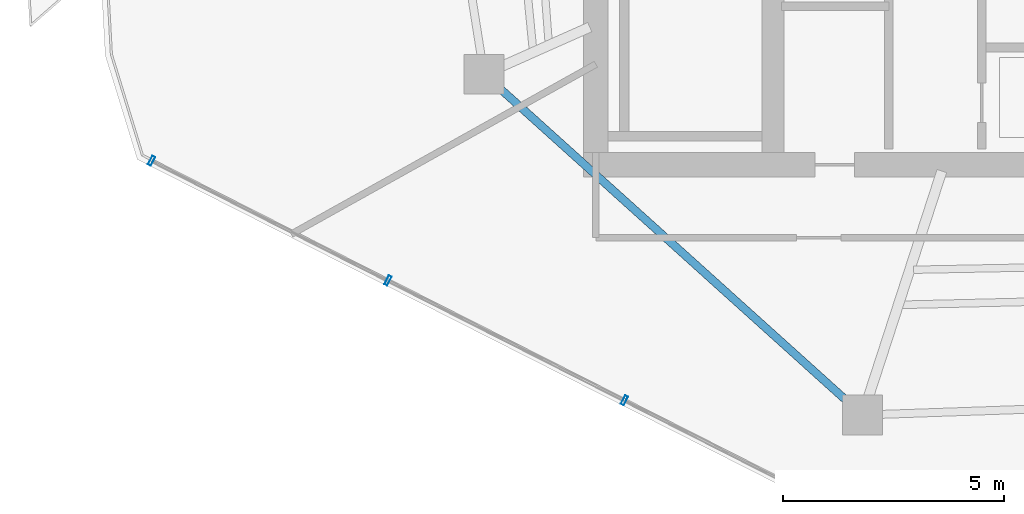
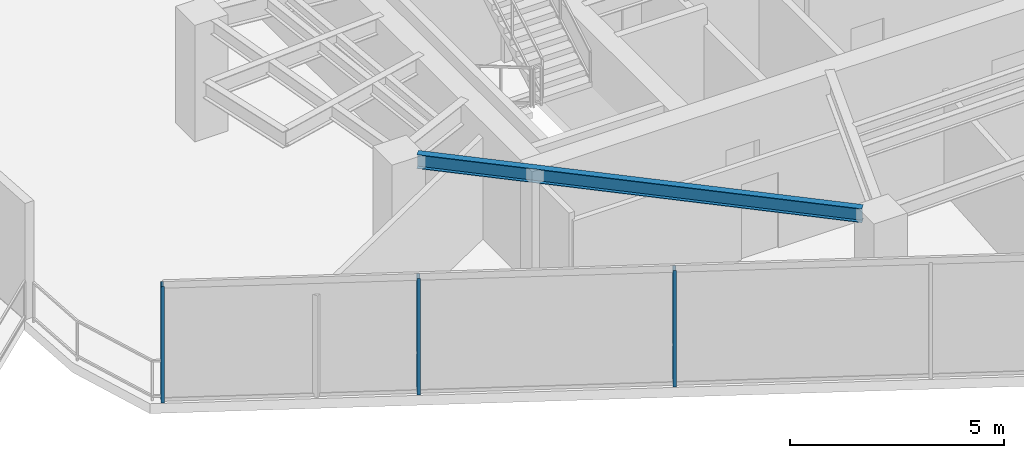
# One storey, part 2 of 18: 3 members, 1 beam, 1 element without a shape of its own.
"""IFC4 building model written with IfcOpenShell, lengths in metres."""

from ifc_helpers import new_model, si_unit, direction, frame, origin, origin_2d, place, context, subcontext, project, spatial, hollow_rectangle, i_section, extrude, material, layer, layer_set, material_profile, profile_set, type_object, element, aggregate, save


model = new_model("IFC4")

# Units and contexts
model_context = context("Model", 3, precision=1e-05, world=origin(), true_north=direction((0.0, 1.0)))
body_context = subcontext(model_context, "Body", "Model", "MODEL_VIEW")
ifc_project = project(units=[si_unit("LENGTHUNIT", "METRE"), si_unit("AREAUNIT", "SQUARE_METRE"), si_unit("VOLUMEUNIT", "CUBIC_METRE"), si_unit("PLANEANGLEUNIT", "RADIAN"), si_unit("MASSUNIT", "GRAM", prefix="KILO")], contexts=[model_context])

# Site, building, storey
site_placement = place(None, origin())
site = spatial("IfcSite", under=ifc_project, at=site_placement, CompositionType="ELEMENT")
building_placement = place(site_placement, origin())
building = spatial("IfcBuilding", under=site, at=building_placement, Name="Qarnah Convention Tower", CompositionType="ELEMENT")
storey_placement = place(building_placement, frame((0.0, 0.0, 191.39990234375)))
storey = spatial("IfcBuildingStorey", under=building, at=storey_placement, Name="L51", CompositionType="ELEMENT", Elevation=191.39990234375)

# Beam
ifc_material_1 = material(Name="Structural steel S355JR", Category="steel")
ifc_material_profile_1 = material_profile(ifc_material_1, i_section(OverallWidth=0.179931640625, OverallDepth=0.39990234375, WebThickness=0.009033203125, FlangeThickness=0.013916015625, at=origin_2d()), Name="IPE400")
ifc_profile_set_1 = profile_set([ifc_material_profile_1], Name="Structural steel S355JR")
beam_type = type_object("IfcBeamType", Name="BM-SPN-IPE400", PredefinedType="SPANDREL", material=ifc_profile_set_1)
beam_placement = place(storey_placement, frame((24.60009765625, 20.35107421875, 3.1201171875), z_axis=(0.743102275255, -0.669177860147, 0.0), x_axis=(0.669177860147, 0.743102275255, 0.0)))
element("IfcBeam", 1, at=beam_placement, inside=storey, type_object=beam_type, Name="L51 spandrel BM-L51-SPN-06", PredefinedType="SPANDREL", context=body_context, shape_type="SweptSolid", body=[
    extrude(i_section(OverallWidth=0.179931640625, OverallDepth=0.39990234375, WebThickness=0.009033203125, FlangeThickness=0.013916015625, at=origin_2d()), origin(), (0.0, 0.0, 1.0), 10.630859375),
])

# Curtain wall, members
ifc_material_2 = material(Name="Tempered Low-E dark glass", Category="glass")
ifc_layer = layer(ifc_material_2, 0.174072265625)
ifc_layer_set = layer_set([ifc_layer], Name="Tempered Low-E dark glass")
curtain_wall_type = type_object("IfcCurtainWallType", Name="CWS-04", PredefinedType="NOTDEFINED", material=ifc_layer_set)
curtain_wall_placement = place(storey_placement, origin())
curtain_wall = element("IfcCurtainWall", 2, at=curtain_wall_placement, inside=storey, type_object=curtain_wall_type, Name="L51 unitised curtain wall CW-L51-F3", PredefinedType="NOTDEFINED")
ifc_material_3 = material(Name="Black anodised aluminium", Category="aluminium")
ifc_material_profile_2 = material_profile(ifc_material_3, hollow_rectangle(XDim=0.074951171875, YDim=0.219970703125, WallThickness=0.0048828125, at=origin_2d()), Name="MUL-75X220")
ifc_profile_set_2 = profile_set([ifc_material_profile_2], Name="Black anodised aluminium")
member_type = type_object("IfcMemberType", Name="MUL-T4", PredefinedType="MULLION", material=ifc_profile_set_2)
member_1_placement = place(storey_placement, frame((27.444091796875, 13.273681640625, 0.0), z_axis=(0.0, 0.0, 1.0), x_axis=(-0.891969347824, 0.4520958776, 0.0)))
member_1 = element("IfcMember", 3, at=member_1_placement, type_object=member_type, Name="CW-L51-F3 mullion 4", PredefinedType="MULLION", context=body_context, shape_type="SweptSolid", body=[
    extrude(hollow_rectangle(XDim=0.074951171875, YDim=0.219970703125, WallThickness=0.0048828125, at=origin_2d()), origin(), (0.0, 0.0, 1.0), 3.320068359375),
])
member_2_placement = place(storey_placement, frame((22.10205078125, 15.9814453125, 0.0), z_axis=(0.0, 0.0, 1.0), x_axis=(-0.891969347824, 0.4520958776, 0.0)))
member_2 = element("IfcMember", 4, at=member_2_placement, type_object=member_type, Name="CW-L51-F3 mullion 5", PredefinedType="MULLION", context=body_context, shape_type="SweptSolid", body=[
    extrude(hollow_rectangle(XDim=0.074951171875, YDim=0.219970703125, WallThickness=0.0048828125, at=origin_2d()), origin(), (0.0, 0.0, 1.0), 3.320068359375),
])
member_3_placement = place(storey_placement, frame((16.760009765625, 18.68896484375, 0.0), z_axis=(0.0, 0.0, 1.0), x_axis=(-0.891969347824, 0.4520958776, 0.0)))
member_3 = element("IfcMember", 5, at=member_3_placement, type_object=member_type, Name="CW-L51-F3 mullion 6", PredefinedType="MULLION", context=body_context, shape_type="SweptSolid", body=[
    extrude(hollow_rectangle(XDim=0.074951171875, YDim=0.219970703125, WallThickness=0.0048828125, at=origin_2d()), origin(), (0.0, 0.0, 1.0), 3.320068359375),
])
aggregate(curtain_wall, [member_1, member_2, member_3])

save(model, "model.ifc")
